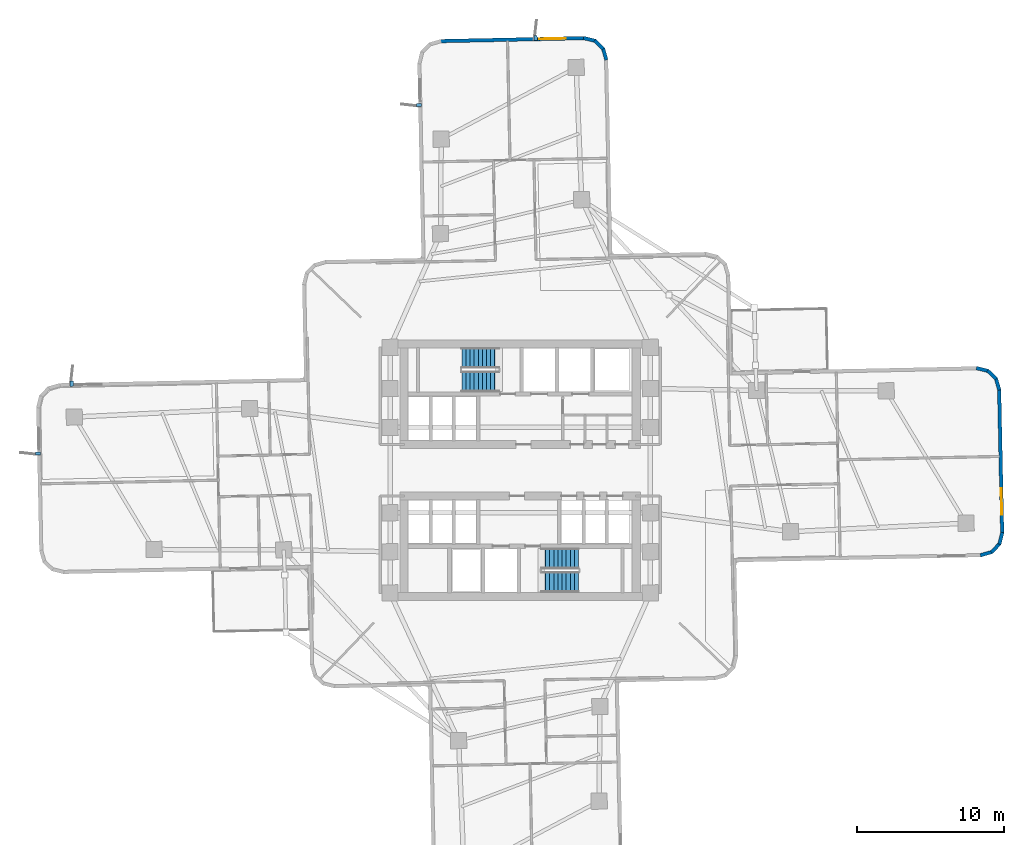
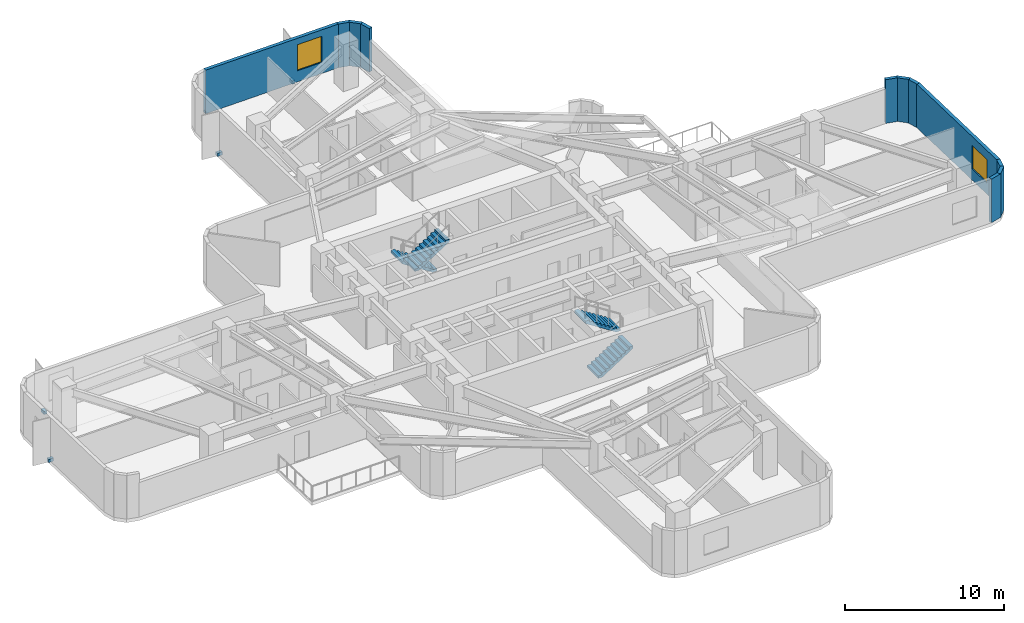
# One storey, part 6 of 10: 11 walls, 4 discrete accessories, 4 stair flights, 2 windows, 2 openings, 2 elements without a shape of their own.
"""IFC4 building model written with IfcOpenShell, lengths in metres."""

from ifc_helpers import new_model, si_unit, direction, frame, frame_2d, origin, origin_2d, place, context, subcontext, project, spatial, polyline, rectangle, outline, extrude, material, layer, layer_set, type_object, element, fill, aggregate, save


model = new_model("IFC4")

# Units and contexts
model_context = context("Model", 3, precision=1e-05, world=origin(), true_north=direction((0.0, 1.0)))
body_context = subcontext(model_context, "Body", "Model", "MODEL_VIEW")
ifc_project = project(units=[si_unit("LENGTHUNIT", "METRE"), si_unit("AREAUNIT", "SQUARE_METRE"), si_unit("VOLUMEUNIT", "CUBIC_METRE"), si_unit("PLANEANGLEUNIT", "RADIAN"), si_unit("MASSUNIT", "GRAM", prefix="KILO")], contexts=[model_context])

# Site, building, storey
site_placement = place(None, origin())
site = spatial("IfcSite", under=ifc_project, at=site_placement, CompositionType="ELEMENT")
building_placement = place(site_placement, origin())
building = spatial("IfcBuilding", under=site, at=building_placement, Name="Solmarez Civic Tower", CompositionType="ELEMENT")
storey_placement = place(building_placement, frame((0.0, 0.0, 35.280029296875)))
storey = spatial("IfcBuildingStorey", under=building, at=storey_placement, Name="L08", CompositionType="ELEMENT", Elevation=35.280029296875)

# Wall, opening, window
ifc_material_1 = material(Name="Precast concrete C40/50", Category="concrete")
ifc_layer = layer(ifc_material_1, 0.239990234375)
ifc_layer_set = layer_set([ifc_layer], Name="Precast concrete C40/50")
wall_type = type_object("IfcWallType", Name="WALL-EXT-240", PredefinedType="SOLIDWALL", material=ifc_layer_set)
wall_1_placement = place(storey_placement, frame((-5.4208984375, 29.172119140625, 0.0), z_axis=(0.0, 0.0, 1.0), x_axis=(0.999778461458, 0.021048230433, 0.0)))
wall_1 = element("IfcWall", 1, at=wall_1_placement, inside=storey, type_object=wall_type, Name="L08 Exterior Precast Wall 24", PredefinedType="SOLIDWALL", context=body_context, shape_type="SweptSolid", body=[
    extrude(rectangle(XDim=9.778076171875, YDim=0.239990234375, at=frame_2d((4.88916015625, 0.0))), origin(), (0.0, 0.0, 1.0), 3.340087890625),
])
opening_1_placement = place(wall_1_placement, frame((6.72705078125, 0.0, 0.85009765625)))
opening_1 = element("IfcOpeningElement", 2, at=opening_1_placement, cuts=wall_1, Name="Opening W-04", PredefinedType="OPENING", context=body_context, shape_type="SweptSolid", body=[
    extrude(rectangle(XDim=1.800048828125, YDim=2.0, at=frame_2d((0.89990234375, 1.0))), frame((0.0, 0.1298828125, 0.0), z_axis=(0.0, -1.0, 0.0), x_axis=(1.0, 0.0, 0.0)), (0.0, 0.0, 1.0), 0.260009765625),
])
ifc_material_2 = material(Name="Solar Control Bronze-Tinted Insulating Glass", Category="glass")
window_type_1 = type_object("IfcWindowType", Name="WIN-1800X2000", PartitioningType="SINGLE_PANEL", PredefinedType="WINDOW", material=ifc_material_2)
window_1_placement = place(opening_1_placement, origin())
window_1 = element("IfcWindow", 3, at=window_1_placement, inside=storey, type_object=window_type_1, Name="L08 Exterior Facade Window 24", OverallHeight=2.0, OverallWidth=1.800048828125, PartitioningType="SINGLE_PANEL", PredefinedType="WINDOW", context=body_context, shape_type="SweptSolid", body=[
    extrude(rectangle(XDim=1.800048828125, YDim=2.0, at=frame_2d((0.89990234375, 1.0))), frame((0.0, 0.030029296875, 0.0), z_axis=(0.0, -1.0, 0.0), x_axis=(1.0, 0.0, 0.0)), (0.0, 0.0, 1.0), 0.06005859375),
])
fill(opening_1, window_1)

# Walls
wall_2_placement = place(storey_placement, frame((4.305908203125, 29.383056640625, 0.0), z_axis=(0.0, 0.0, 1.0), x_axis=(0.97113761746, -0.238519869098, 0.0)))
element("IfcWall", 4, at=wall_2_placement, inside=storey, type_object=wall_type, Name="L08 Exterior Precast Wall 25", PredefinedType="SOLIDWALL", context=body_context, shape_type="SweptSolid", body=[
    extrude(rectangle(XDim=0.830078125, YDim=0.239990234375, at=frame_2d((0.4150390625, 0.0))), origin(), (0.0, 0.0, 1.0), 3.340087890625),
])
wall_3_placement = place(storey_placement, frame((5.070068359375, 29.2080078125, 0.0), z_axis=(0.0, 0.0, 1.0), x_axis=(0.721663211076, -0.692244328095, 0.0)))
element("IfcWall", 5, at=wall_3_placement, inside=storey, type_object=wall_type, Name="L08 Exterior Precast Wall 26", PredefinedType="SOLIDWALL", context=body_context, shape_type="SweptSolid", body=[
    extrude(rectangle(XDim=0.813232421875, YDim=0.239990234375, at=frame_2d((0.40673828125, 0.0))), origin(), (0.0, 0.0, 1.0), 3.340087890625),
])
wall_4_placement = place(storey_placement, frame((5.632080078125, 28.68603515625, 0.0), z_axis=(0.0, 0.0, 1.0), x_axis=(0.279378838128, -0.960180954199, 0.0)))
element("IfcWall", 6, at=wall_4_placement, inside=storey, type_object=wall_type, Name="L08 Exterior Precast Wall 27", PredefinedType="SOLIDWALL", context=body_context, shape_type="SweptSolid", body=[
    extrude(rectangle(XDim=0.830078125, YDim=0.239990234375, at=frame_2d((0.4150390625, 0.0))), origin(), (0.0, 0.0, 1.0), 3.340087890625),
])
wall_5_placement = place(storey_placement, frame((31.02197265625, 6.93798828125, 0.0), z_axis=(0.0, 0.0, 1.0), x_axis=(0.971120878097, -0.238588013371, 0.0)))
element("IfcWall", 7, at=wall_5_placement, inside=storey, type_object=wall_type, Name="L08 Exterior Precast Wall 39", PredefinedType="SOLIDWALL", context=body_context, shape_type="SweptSolid", body=[
    extrude(rectangle(XDim=0.829833984375, YDim=0.239990234375, at=frame_2d((0.4150390625, 0.0))), origin(), (0.0, 0.0, 1.0), 3.340087890625),
])
wall_6_placement = place(storey_placement, frame((31.785888671875, 6.762939453125, 0.0), z_axis=(0.0, 0.0, 1.0), x_axis=(0.721807017337, -0.692094379202, 0.0)))
element("IfcWall", 8, at=wall_6_placement, inside=storey, type_object=wall_type, Name="L08 Exterior Precast Wall 40", PredefinedType="SOLIDWALL", context=body_context, shape_type="SweptSolid", body=[
    extrude(rectangle(XDim=0.8134765625, YDim=0.239990234375, at=frame_2d((0.40673828125, 0.0))), origin(), (0.0, 0.0, 1.0), 3.340087890625),
])
wall_7_placement = place(storey_placement, frame((32.347900390625, 6.240966796875, 0.0), z_axis=(0.0, 0.0, 1.0), x_axis=(0.2797289077, -0.960079027058, 0.0)))
element("IfcWall", 9, at=wall_7_placement, inside=storey, type_object=wall_type, Name="L08 Exterior Precast Wall 41", PredefinedType="SOLIDWALL", context=body_context, shape_type="SweptSolid", body=[
    extrude(rectangle(XDim=0.830078125, YDim=0.239990234375, at=frame_2d((0.4150390625, 0.0))), origin(), (0.0, 0.0, 1.0), 3.340087890625),
])

# Wall, opening, window
wall_8_placement = place(storey_placement, frame((32.572021484375, 5.492919921875, 0.0), z_axis=(0.0, 0.0, 1.0), x_axis=(0.020971264701, -0.999780078846, 0.0)))
wall_8 = element("IfcWall", 10, at=wall_8_placement, inside=storey, type_object=wall_type, Name="L08 Exterior Precast Wall 42", PredefinedType="SOLIDWALL", context=body_context, shape_type="SweptSolid", body=[
    extrude(rectangle(XDim=9.779052734375, YDim=0.239990234375, at=frame_2d((4.8896484375, 0.0))), origin(), (0.0, 0.0, 1.0), 3.340087890625),
])
opening_2_placement = place(wall_8_placement, frame((6.72802734375, 0.0, 0.85009765625)))
opening_2 = element("IfcOpeningElement", 11, at=opening_2_placement, cuts=wall_8, Name="Opening W-08", PredefinedType="OPENING", context=body_context, shape_type="SweptSolid", body=[
    extrude(rectangle(XDim=1.800048828125, YDim=1.800048828125, at=frame_2d((0.89990234375, 0.89990234375))), frame((0.0, 0.1298828125, 0.0), z_axis=(0.0, -1.0, 0.0), x_axis=(1.0, 0.0, 0.0)), (0.0, 0.0, 1.0), 0.260009765625),
])
window_type_2 = type_object("IfcWindowType", Name="WIN-1800X1800", PartitioningType="SINGLE_PANEL", PredefinedType="WINDOW", material=ifc_material_2)
window_2_placement = place(opening_2_placement, origin())
window_2 = element("IfcWindow", 12, at=window_2_placement, inside=storey, type_object=window_type_2, Name="L08 Exterior Facade Window 42", OverallHeight=1.800048828125, OverallWidth=1.800048828125, PartitioningType="SINGLE_PANEL", PredefinedType="WINDOW", context=body_context, shape_type="SweptSolid", body=[
    extrude(rectangle(XDim=1.800048828125, YDim=1.800048828125, at=frame_2d((0.89990234375, 0.89990234375))), frame((0.0, 0.030029296875, 0.0), z_axis=(0.0, -1.0, 0.0), x_axis=(1.0, 0.0, 0.0)), (0.0, 0.0, 1.0), 0.06005859375),
])
fill(opening_2, window_2)

# Walls
wall_9_placement = place(storey_placement, frame((32.781982421875, -4.235107421875, 0.0), z_axis=(0.0, 0.0, 1.0), x_axis=(-0.238860968489, -0.971053776952, 0.0)))
element("IfcWall", 13, at=wall_9_placement, inside=storey, type_object=wall_type, Name="L08 Exterior Precast Wall 43", PredefinedType="SOLIDWALL", context=body_context, shape_type="SweptSolid", body=[
    extrude(rectangle(XDim=0.828857421875, YDim=0.239990234375, at=frame_2d((0.41455078125, 0.0))), origin(), (0.0, 0.0, 1.0), 3.340087890625),
])
wall_10_placement = place(storey_placement, frame((32.60693359375, -4.998046875, 0.0), z_axis=(0.0, 0.0, 1.0), x_axis=(-0.691018151037, -0.722837405602, 0.0)))
element("IfcWall", 14, at=wall_10_placement, inside=storey, type_object=wall_type, Name="L08 Exterior Precast Wall 44", PredefinedType="SOLIDWALL", context=body_context, shape_type="SweptSolid", body=[
    extrude(rectangle(XDim=0.813232421875, YDim=0.239990234375, at=frame_2d((0.40673828125, 0.0))), origin(), (0.0, 0.0, 1.0), 3.340087890625),
])
wall_11_placement = place(storey_placement, frame((32.0859375, -5.56103515625, 0.0), z_axis=(0.0, 0.0, 1.0), x_axis=(-0.960249728562, -0.279142362954, 0.0)))
element("IfcWall", 15, at=wall_11_placement, inside=storey, type_object=wall_type, Name="L08 Exterior Precast Wall 45", PredefinedType="SOLIDWALL", context=body_context, shape_type="SweptSolid", body=[
    extrude(rectangle(XDim=0.830810546875, YDim=0.239990234375, at=frame_2d((0.41552734375, 0.0))), origin(), (0.0, 0.0, 1.0), 3.340087890625),
])

# Stair, stair flights
ifc_material_3 = material(Name="Concrete C50/60", Category="concrete")
stair_type = type_object("IfcStairType", Name="STAIR-DOGLEG-140W-20R-1800", PredefinedType="HALF_TURN_STAIR", material=ifc_material_3)
stair_1_placement = place(storey_placement, origin())
stair_1 = element("IfcStair", 16, at=stair_1_placement, inside=storey, type_object=stair_type, Name="L08 North Core Protected Exit Stair ST-1", PredefinedType="HALF_TURN_STAIR")
stair_flight_type = type_object("IfcStairFlightType", Name="FLIGHT-DOGLEG-140W-10R-1800", PredefinedType="STRAIGHT", material=ifc_material_3)
stair_flight_1_placement = place(storey_placement, frame((-1.449951171875, 7.6201171875, 0.0), z_axis=(0.0, 0.0, 1.0), x_axis=(-1.0, 0.0, 0.0)))
stair_flight_1 = element("IfcStairFlight", 17, at=stair_flight_1_placement, type_object=stair_flight_type, Name="ST-1 flight 1", NumberOfRisers=10, NumberOfTreads=9, PredefinedType="STRAIGHT", RiserHeight=0.18, TreadLength=0.28, context=body_context, shape_type="SweptSolid", body=[
    extrude(outline(polyline([(0.0, 0.0), (0.0, 0.179931640625), (0.280029296875, 0.179931640625), (0.280029296875, 0.360107421875), (0.56005859375, 0.360107421875), (0.56005859375, 0.5400390625), (0.840087890625, 0.5400390625), (0.840087890625, 0.719970703125), (1.1201171875, 0.719970703125), (1.1201171875, 0.89990234375), (1.39990234375, 0.89990234375), (1.39990234375, 1.080078125), (1.679931640625, 1.080078125), (1.679931640625, 1.260009765625), (1.9599609375, 1.260009765625), (1.9599609375, 1.43994140625), (2.239990234375, 1.43994140625), (2.239990234375, 1.6201171875), (2.52001953125, 1.6201171875), (2.52001953125, 1.800048828125), (2.52001953125, 1.429931640625), (0.295654296875, 0.0), (0.0, 0.0)])), frame((0.0, 0.699951171875, 0.0), z_axis=(0.0, -1.0, 0.0), x_axis=(1.0, 0.0, 0.0)), (0.0, 0.0, 1.0), 1.39990234375),
])
stair_flight_2_placement = place(storey_placement, frame((-3.969970703125, 6.02001953125, 1.800048828125), z_axis=(0.0, 0.0, 1.0), x_axis=(1.0, 0.0, 0.0)))
stair_flight_2 = element("IfcStairFlight", 18, at=stair_flight_2_placement, type_object=stair_flight_type, Name="ST-1 flight 2", NumberOfRisers=10, NumberOfTreads=9, PredefinedType="STRAIGHT", RiserHeight=0.18, TreadLength=0.28, context=body_context, shape_type="SweptSolid", body=[
    extrude(outline(polyline([(0.0, 0.0), (0.0, 0.179931640625), (0.280029296875, 0.179931640625), (0.280029296875, 0.360107421875), (0.56005859375, 0.360107421875), (0.56005859375, 0.5400390625), (0.840087890625, 0.5400390625), (0.840087890625, 0.719970703125), (1.1201171875, 0.719970703125), (1.1201171875, 0.89990234375), (1.39990234375, 0.89990234375), (1.39990234375, 1.080078125), (1.679931640625, 1.080078125), (1.679931640625, 1.260009765625), (1.9599609375, 1.260009765625), (1.9599609375, 1.43994140625), (2.239990234375, 1.43994140625), (2.239990234375, 1.6201171875), (2.52001953125, 1.6201171875), (2.52001953125, 1.800048828125), (2.52001953125, 1.429931640625), (0.295654296875, 0.0), (0.0, 0.0)])), frame((0.0, 0.699951171875, 0.0), z_axis=(0.0, -1.0, 0.0), x_axis=(1.0, 0.0, 0.0)), (0.0, 0.0, 1.0), 1.39990234375),
])
aggregate(stair_1, [stair_flight_1, stair_flight_2])

stair_2_placement = place(storey_placement, origin())
stair_2 = element("IfcStair", 19, at=stair_2_placement, inside=storey, type_object=stair_type, Name="L08 South Core Protected Exit Stair ST-2", PredefinedType="HALF_TURN_STAIR")
stair_flight_3_placement = place(storey_placement, frame((1.449951171875, -7.6201171875, 0.0), z_axis=(0.0, 0.0, 1.0), x_axis=(1.0, 0.0, 0.0)))
stair_flight_3 = element("IfcStairFlight", 20, at=stair_flight_3_placement, type_object=stair_flight_type, Name="ST-2 flight 1", NumberOfRisers=10, NumberOfTreads=9, PredefinedType="STRAIGHT", RiserHeight=0.18, TreadLength=0.28, context=body_context, shape_type="SweptSolid", body=[
    extrude(outline(polyline([(0.0, 0.0), (0.0, 0.179931640625), (0.280029296875, 0.179931640625), (0.280029296875, 0.360107421875), (0.56005859375, 0.360107421875), (0.56005859375, 0.5400390625), (0.840087890625, 0.5400390625), (0.840087890625, 0.719970703125), (1.1201171875, 0.719970703125), (1.1201171875, 0.89990234375), (1.39990234375, 0.89990234375), (1.39990234375, 1.080078125), (1.679931640625, 1.080078125), (1.679931640625, 1.260009765625), (1.9599609375, 1.260009765625), (1.9599609375, 1.43994140625), (2.239990234375, 1.43994140625), (2.239990234375, 1.6201171875), (2.52001953125, 1.6201171875), (2.52001953125, 1.800048828125), (2.52001953125, 1.429931640625), (0.295654296875, 0.0), (0.0, 0.0)])), frame((0.0, 0.699951171875, 0.0), z_axis=(0.0, -1.0, 0.0), x_axis=(1.0, 0.0, 0.0)), (0.0, 0.0, 1.0), 1.39990234375),
])
stair_flight_4_placement = place(storey_placement, frame((3.969970703125, -6.02001953125, 1.800048828125), z_axis=(0.0, 0.0, 1.0), x_axis=(-1.0, 0.0, 0.0)))
stair_flight_4 = element("IfcStairFlight", 21, at=stair_flight_4_placement, type_object=stair_flight_type, Name="ST-2 flight 2", NumberOfRisers=10, NumberOfTreads=9, PredefinedType="STRAIGHT", RiserHeight=0.18, TreadLength=0.28, context=body_context, shape_type="SweptSolid", body=[
    extrude(outline(polyline([(0.0, 0.0), (0.0, 0.179931640625), (0.280029296875, 0.179931640625), (0.280029296875, 0.360107421875), (0.56005859375, 0.360107421875), (0.56005859375, 0.5400390625), (0.840087890625, 0.5400390625), (0.840087890625, 0.719970703125), (1.1201171875, 0.719970703125), (1.1201171875, 0.89990234375), (1.39990234375, 0.89990234375), (1.39990234375, 1.080078125), (1.679931640625, 1.080078125), (1.679931640625, 1.260009765625), (1.9599609375, 1.260009765625), (1.9599609375, 1.43994140625), (2.239990234375, 1.43994140625), (2.239990234375, 1.6201171875), (2.52001953125, 1.6201171875), (2.52001953125, 1.800048828125), (2.52001953125, 1.429931640625), (0.295654296875, 0.0), (0.0, 0.0)])), frame((0.0, 0.699951171875, 0.0), z_axis=(0.0, -1.0, 0.0), x_axis=(1.0, 0.0, 0.0)), (0.0, 0.0, 1.0), 1.39990234375),
])
aggregate(stair_2, [stair_flight_3, stair_flight_4])

# Discrete accessories
ifc_material_4 = material(Name="Stainless Steel Grade 1.4401", Category="steel")
discrete_accessory_type = type_object("IfcDiscreteAccessoryType", Name="BRACKET-SS-FIN", PredefinedType="BRACKET", material=ifc_material_4)
for number, where, z_axis, x_axis, name in (
    (22, (-32.7900390625, 1.132080078125, -0.06005859375), (0.0, 0.0, 1.0), (-0.999782298004, -0.020865200635, 0.0), "L08 Stainless Fin Support Bracket FIN-L08-01"),
    (23, (-30.489013671875, 5.883056640625, -0.06005859375), (0.0, 0.0, 1.0), (-0.020949374297, 0.999780537776, 0.0), "L08 Stainless Fin Support Bracket FIN-L08-02"),
    (24, (-6.881103515625, 24.821044921875, -0.06005859375), (0.0, 0.0, 1.0), (-0.999780155684, -0.020967601199, 0.0), "L08 Stainless Fin Support Bracket FIN-L08-03"),
    (25, (1.052978515625, 29.387939453125, -0.06005859375), (0.0, 0.0, 1.0), (-0.020970094709, 0.999780103387, 0.0), "L08 Stainless Fin Support Bracket FIN-L08-04"),
):
    element("IfcDiscreteAccessory", number, at=place(storey_placement, frame(where, z_axis=z_axis, x_axis=x_axis)), inside=storey, type_object=discrete_accessory_type, Name=name, PredefinedType="BRACKET", context=body_context, shape_type="SweptSolid", body=[
        extrude(rectangle(XDim=0.360107421875, YDim=0.219970703125, at=origin_2d()), origin(), (0.0, 0.0, 1.0), 0.239990234375),
    ])

save(model, "model.ifc")
